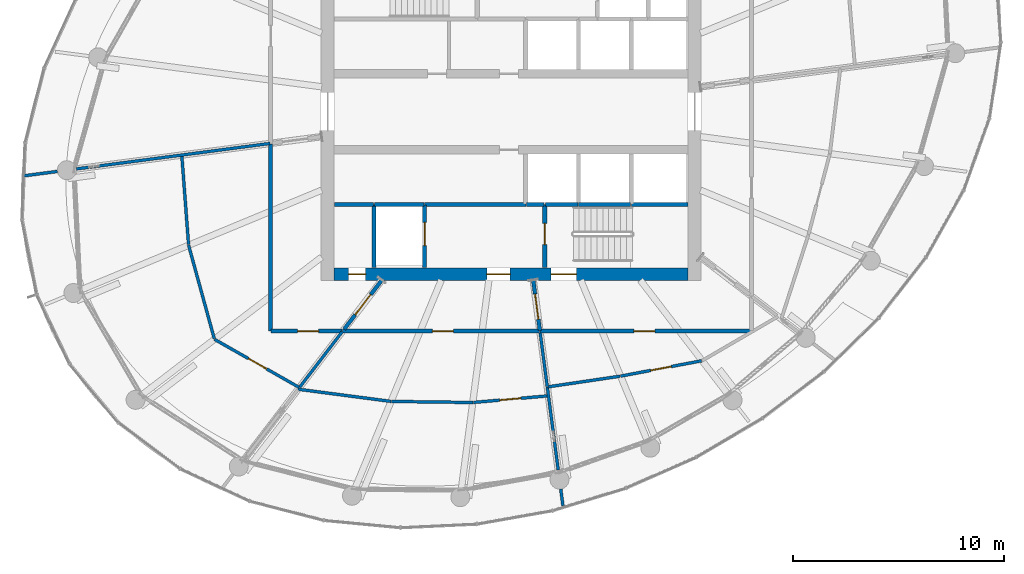
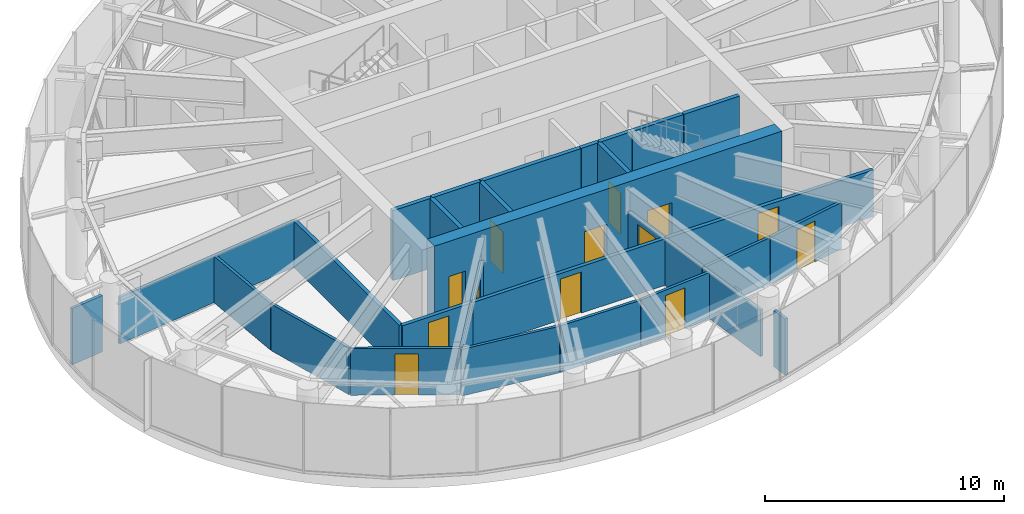
# One storey, part 16 of 26: 31 walls, 13 doors, 13 openings.
"""IFC4 building model written with IfcOpenShell, lengths in metres."""

from ifc_helpers import new_model, si_unit, direction, frame, frame_2d, origin, place, context, subcontext, project, spatial, rectangle, extrude, source, transform, mapped, material, layer, layer_set, type_object, element, fill, save


model = new_model("IFC4")

# Units and contexts
model_context = context("Model", 3, precision=1e-05, world=origin(), true_north=direction((0.0, 1.0)))
body_context = subcontext(model_context, "Body", "Model", "MODEL_VIEW")
ifc_project = project(units=[si_unit("LENGTHUNIT", "METRE"), si_unit("AREAUNIT", "SQUARE_METRE"), si_unit("VOLUMEUNIT", "CUBIC_METRE"), si_unit("PLANEANGLEUNIT", "RADIAN"), si_unit("MASSUNIT", "GRAM", prefix="KILO")], contexts=[model_context])

# Site, building, storey
site_placement = place(None, origin())
site = spatial("IfcSite", under=ifc_project, at=site_placement, CompositionType="ELEMENT")
building_placement = place(site_placement, origin())
building = spatial("IfcBuilding", under=site, at=building_placement, Name="Spindrift Exchange Tower", CompositionType="ELEMENT")
storey_placement = place(building_placement, frame((0.0, 0.0, 230.60009765625)))
storey = spatial("IfcBuildingStorey", under=building, at=storey_placement, Name="L56", CompositionType="ELEMENT", Elevation=230.60009765625)

# Wall, openings, doors
ifc_material_1 = material(Name="Concrete 50 MPa", Category="concrete")
ifc_layer_1 = layer(ifc_material_1, 0.60009765625)
ifc_layer_set_1 = layer_set([ifc_layer_1], Name="RC Core Wall 600 Concrete 50 MPa")
wall_type_1 = type_object("IfcWallType", Name="RC Core Wall 600 Concrete 50 MPa", PredefinedType="SHEAR", material=ifc_layer_set_1)
wall_1_placement = place(storey_placement, frame((43.60009765625, 40.300048828125, 0.0), z_axis=(0.0, 0.0, 1.0), x_axis=(1.0, 0.0, 0.0)))
wall_1 = element("IfcWall", 1, at=wall_1_placement, inside=storey, type_object=wall_type_1, Name="Core wall S L56", PredefinedType="SHEAR", context=body_context, shape_type="SweptSolid", body=[
    extrude(rectangle(XDim=16.7998046875, YDim=0.60009765625, at=frame_2d((8.39990234375, 0.0))), origin(), (0.0, 0.0, 1.0), 3.89990234375),
])
opening_1_placement = place(wall_1_placement, frame((10.300048828125, 0.0, 0.0)))
opening_1 = element("IfcOpeningElement", 2, at=opening_1_placement, cuts=wall_1, Name="Opening L56-D9", PredefinedType="OPENING", context=body_context, shape_type="SweptSolid", body=[
    extrude(rectangle(XDim=1.199951171875, YDim=2.10009765625, at=frame_2d((0.60009765625, 1.050048828125))), frame((0.0, 0.31005859375, 0.0), z_axis=(0.0, -1.0, 0.0), x_axis=(1.0, 0.0, 0.0)), (0.0, 0.0, 1.0), 0.6201171875),
])
opening_2_placement = place(wall_1_placement, frame((7.25, 0.0, 0.0)))
opening_2 = element("IfcOpeningElement", 3, at=opening_2_placement, cuts=wall_1, Name="Opening L56-D11", PredefinedType="OPENING", context=body_context, shape_type="SweptSolid", body=[
    extrude(rectangle(XDim=1.10009765625, YDim=2.10009765625, at=frame_2d((0.550048828125, 1.050048828125))), frame((0.0, 0.31005859375, 0.0), z_axis=(0.0, -1.0, 0.0), x_axis=(1.0, 0.0, 0.0)), (0.0, 0.0, 1.0), 0.6201171875),
])
opening_3_placement = place(wall_1_placement, frame((0.699951171875, 0.0, 0.0)))
opening_3 = element("IfcOpeningElement", 4, at=opening_3_placement, cuts=wall_1, Name="Opening L56-D12", PredefinedType="OPENING", context=body_context, shape_type="SweptSolid", body=[
    extrude(rectangle(XDim=0.800048828125, YDim=2.10009765625, at=frame_2d((0.39990234375, 1.050048828125))), frame((0.0, 0.31005859375, 0.0), z_axis=(0.0, -1.0, 0.0), x_axis=(1.0, 0.0, 0.0)), (0.0, 0.0, 1.0), 0.6201171875),
])
ifc_material_2 = material(Name="Steel fire door", Category="steel")
door_type_1 = type_object("IfcDoorType", Name="DR-STAIR-1200", OperationType="NOTDEFINED", PredefinedType="DOOR", material=ifc_material_2)
shared_shape_1 = source(origin(), body_context, "Body", "SweptSolid", [
    extrude(rectangle(XDim=1.199951171875, YDim=2.10009765625, at=frame_2d((0.60009765625, 1.050048828125))), frame((0.0, 0.02490234375, 0.0), z_axis=(0.0, -1.0, 0.0), x_axis=(1.0, 0.0, 0.0)), (0.0, 0.0, 1.0), 0.050048828125),
])
door_1_placement = place(opening_1_placement, origin())
door_1 = element("IfcDoor", 5, at=door_1_placement, inside=storey, type_object=door_type_1, Name="L56 Stair door 9", OperationType="SINGLE_SWING_LEFT", OverallHeight=2.10009765625, OverallWidth=1.199951171875, PredefinedType="DOOR", context=body_context, shape_type="MappedRepresentation", body=[
    mapped(shared_shape_1, transform((0.0, 0.0, 0.0), scale=1.0)),
])
fill(opening_1, door_1)
ifc_material_3 = material(Name="Timber-core fire door", Category="wood")
door_type_2 = type_object("IfcDoorType", Name="DR-LOBBY-1100", OperationType="NOTDEFINED", PredefinedType="DOOR", material=ifc_material_3)
shared_shape_2 = source(origin(), body_context, "Body", "SweptSolid", [
    extrude(rectangle(XDim=1.10009765625, YDim=2.10009765625, at=frame_2d((0.550048828125, 1.050048828125))), frame((0.0, 0.02490234375, 0.0), z_axis=(0.0, -1.0, 0.0), x_axis=(1.0, 0.0, 0.0)), (0.0, 0.0, 1.0), 0.050048828125),
])
door_2_placement = place(opening_2_placement, origin())
door_2 = element("IfcDoor", 6, at=door_2_placement, inside=storey, type_object=door_type_2, Name="L56 Lobby door 11", OperationType="SINGLE_SWING_LEFT", OverallHeight=2.10009765625, OverallWidth=1.10009765625, PredefinedType="DOOR", context=body_context, shape_type="MappedRepresentation", body=[
    mapped(shared_shape_2, transform((0.0, 0.0, 0.0), scale=1.0)),
])
fill(opening_2, door_2)
ifc_material_4 = material(Name="Steel access door", Category="steel")
door_type_3 = type_object("IfcDoorType", Name="DR-RISER-800", OperationType="NOTDEFINED", PredefinedType="DOOR", material=ifc_material_4)
shared_shape_3 = source(origin(), body_context, "Body", "SweptSolid", [
    extrude(rectangle(XDim=0.800048828125, YDim=2.10009765625, at=frame_2d((0.39990234375, 1.050048828125))), frame((0.0, 0.02490234375, 0.0), z_axis=(0.0, -1.0, 0.0), x_axis=(1.0, 0.0, 0.0)), (0.0, 0.0, 1.0), 0.050048828125),
])
door_3_placement = place(opening_3_placement, origin())
door_3 = element("IfcDoor", 7, at=door_3_placement, inside=storey, type_object=door_type_3, Name="L56 Riser door 12", OperationType="SINGLE_SWING_RIGHT", OverallHeight=2.10009765625, OverallWidth=0.800048828125, PredefinedType="DOOR", context=body_context, shape_type="MappedRepresentation", body=[
    mapped(shared_shape_3, transform((0.0, 0.0, 0.0), scale=1.0)),
])
fill(opening_3, door_3)

# Wall, opening, door
ifc_material_5 = material(Name="Fire-rated plasterboard partition", Category="gypsum")
ifc_layer_2 = layer(ifc_material_5, 0.179931640625)
ifc_layer_set_2 = layer_set([ifc_layer_2], Name="W-CORR-180-SOFFIT")
wall_type_2 = type_object("IfcWallType", Name="W-CORR-180-SOFFIT", PredefinedType="PARTITIONING", material=ifc_layer_set_2)
wall_2_placement = place(storey_placement, frame((44.0888671875, 37.68994140625, 0.0), z_axis=(0.0, 0.0, 1.0), x_axis=(0.608737787706, 0.793371480341, 0.0)))
wall_2 = element("IfcWall", 8, at=wall_2_placement, inside=storey, type_object=wall_type_2, Name="L56 Partition wall 38", PredefinedType="PARTITIONING", context=body_context, shape_type="SweptSolid", body=[
    extrude(rectangle(XDim=2.91162109375, YDim=0.179931640625, at=frame_2d((1.455810546875, 0.0))), origin(), (0.0, 0.0, 1.0), 2.3798828125),
])
opening_4_placement = place(wall_2_placement, frame((0.86181640625, 0.0, 0.0)))
opening_4 = element("IfcOpeningElement", 9, at=opening_4_placement, cuts=wall_2, Name="Opening L56-D31", PredefinedType="OPENING", context=body_context, shape_type="SweptSolid", body=[
    extrude(rectangle(XDim=1.199951171875, YDim=2.10009765625, at=frame_2d((0.60009765625, 1.050048828125))), frame((0.0, 0.099853515625, 0.0), z_axis=(0.0, -1.0, 0.0), x_axis=(1.0, 0.0, 0.0)), (0.0, 0.0, 1.0), 0.199951171875),
])
door_type_4 = type_object("IfcDoorType", Name="DR-PLANT-1200", OperationType="NOTDEFINED", PredefinedType="DOOR", material=ifc_material_2)
shared_shape_4 = source(origin(), body_context, "Body", "SweptSolid", [
    extrude(rectangle(XDim=1.199951171875, YDim=2.10009765625, at=frame_2d((0.60009765625, 1.050048828125))), frame((0.0, 0.02490234375, 0.0), z_axis=(0.0, -1.0, 0.0), x_axis=(1.0, 0.0, 0.0)), (0.0, 0.0, 1.0), 0.050048828125),
])
door_4_placement = place(opening_4_placement, origin())
door_4 = element("IfcDoor", 10, at=door_4_placement, inside=storey, type_object=door_type_4, Name="L56 Plant room door 31", OperationType="SINGLE_SWING_LEFT", OverallHeight=2.10009765625, OverallWidth=1.199951171875, PredefinedType="DOOR", context=body_context, shape_type="MappedRepresentation", body=[
    mapped(shared_shape_4, transform((0.0, 0.0, 0.0), scale=1.0)),
])
fill(opening_4, door_4)

wall_3_placement = place(storey_placement, frame((53.365234375, 37.629638671875, 0.0), z_axis=(0.0, 0.0, 1.0), x_axis=(-0.130504701654, 0.991447690424, 0.0)))
wall_3 = element("IfcWall", 11, at=wall_3_placement, inside=storey, type_object=wall_type_2, Name="L56 Partition wall 42", PredefinedType="PARTITIONING", context=body_context, shape_type="SweptSolid", body=[
    extrude(rectangle(XDim=2.390869140625, YDim=0.179931640625, at=frame_2d((1.1953125, 0.0))), origin(), (0.0, 0.0, 1.0), 2.3798828125),
])
opening_5_placement = place(wall_3_placement, frame((0.540771484375, 0.0, 0.0)))
opening_5 = element("IfcOpeningElement", 12, at=opening_5_placement, cuts=wall_3, Name="Opening L56-D32", PredefinedType="OPENING", context=body_context, shape_type="SweptSolid", body=[
    extrude(rectangle(XDim=1.199951171875, YDim=2.10009765625, at=frame_2d((0.60009765625, 1.050048828125))), frame((0.0, 0.099853515625, 0.0), z_axis=(0.0, -1.0, 0.0), x_axis=(1.0, 0.0, 0.0)), (0.0, 0.0, 1.0), 0.199951171875),
])
door_5_placement = place(opening_5_placement, origin())
door_5 = element("IfcDoor", 13, at=door_5_placement, inside=storey, type_object=door_type_4, Name="L56 Plant room door 32", OperationType="SINGLE_SWING_RIGHT", OverallHeight=2.10009765625, OverallWidth=1.199951171875, PredefinedType="DOOR", context=body_context, shape_type="MappedRepresentation", body=[
    mapped(shared_shape_4, transform((0.0, 0.0, 0.0), scale=1.0)),
])
fill(opening_5, door_5)

# Walls
ifc_layer_3 = layer(ifc_material_5, 0.139892578125)
ifc_layer_set_3 = layer_set([ifc_layer_3], Name="W-PLANT-140")
wall_type_3 = type_object("IfcWallType", Name="W-PLANT-140", PredefinedType="PARTITIONING", material=ifc_layer_set_3)
wall_4_placement = place(storey_placement, frame((30.487060546875, 45.167724609375, 0.0), z_axis=(0.0, 0.0, 1.0), x_axis=(-0.991448052913, -0.130501947779, 0.0)))
element("IfcWall", 14, at=wall_4_placement, inside=storey, type_object=wall_type_3, Name="L56 Partition wall 79", PredefinedType="PARTITIONING", context=body_context, shape_type="SweptSolid", body=[
    extrude(rectangle(XDim=1.59765625, YDim=0.139892578125, at=frame_2d((0.798828125, 0.0))), origin(), (0.0, 0.0, 1.0), 2.8798828125),
])
wall_5_placement = place(storey_placement, frame((54.355712890625, 30.10693359375, 0.0), z_axis=(0.0, 0.0, 1.0), x_axis=(0.130414823496, -0.991459516981, 0.0)))
element("IfcWall", 15, at=wall_5_placement, inside=storey, type_object=wall_type_3, Name="L56 Partition wall 87", PredefinedType="PARTITIONING", context=body_context, shape_type="SweptSolid", body=[
    extrude(rectangle(XDim=0.795654296875, YDim=0.139892578125, at=frame_2d((0.39794921875, 0.0))), origin(), (0.0, 0.0, 1.0), 2.8798828125),
])
ifc_layer_4 = layer(ifc_material_5, 0.139892578125)
ifc_layer_set_4 = layer_set([ifc_layer_4], Name="W-PLANT-140-SOFFIT")
wall_type_4 = type_object("IfcWallType", Name="W-PLANT-140-SOFFIT", PredefinedType="PARTITIONING", material=ifc_layer_set_4)
wall_6_placement = place(storey_placement, frame((40.5703125, 46.4951171875, 0.0), z_axis=(0.0, 0.0, 1.0), x_axis=(-0.991446397915, -0.130514520502, 0.0)))
element("IfcWall", 16, at=wall_6_placement, inside=storey, type_object=wall_type_4, Name="L56 Partition wall 47", PredefinedType="PARTITIONING", context=body_context, shape_type="SweptSolid", body=[
    extrude(rectangle(XDim=9.26123046875, YDim=0.139892578125, at=frame_2d((4.630615234375, 0.0))), origin(), (0.0, 0.0, 1.0), 2.3798828125),
])

# Wall, opening, door
wall_7_placement = place(storey_placement, frame((41.96533203125, 34.922607421875, 0.0), z_axis=(0.0, 0.0, 1.0), x_axis=(-0.869576423492, 0.493798383662, 0.0)))
wall_7 = element("IfcWall", 17, at=wall_7_placement, inside=storey, type_object=wall_type_4, Name="L56 Partition wall 52", PredefinedType="PARTITIONING", context=body_context, shape_type="SweptSolid", body=[
    extrude(rectangle(XDim=4.631591796875, YDim=0.139892578125, at=frame_2d((2.31591796875, 0.0))), origin(), (0.0, 0.0, 1.0), 2.3798828125),
])
opening_6_placement = place(wall_7_placement, frame((1.781494140625, 0.0, 0.0)))
opening_6 = element("IfcOpeningElement", 18, at=opening_6_placement, cuts=wall_7, Name="Opening L56-D20", PredefinedType="OPENING", context=body_context, shape_type="SweptSolid", body=[
    extrude(rectangle(XDim=1.0, YDim=2.10009765625, at=frame_2d((0.5, 1.050048828125))), frame((0.0, 0.079833984375, 0.0), z_axis=(0.0, -1.0, 0.0), x_axis=(1.0, 0.0, 0.0)), (0.0, 0.0, 1.0), 0.159912109375),
])
door_type_5 = type_object("IfcDoorType", Name="DR-ROOM-1000", OperationType="NOTDEFINED", PredefinedType="DOOR", material=ifc_material_3)
shared_shape_5 = source(origin(), body_context, "Body", "SweptSolid", [
    extrude(rectangle(XDim=1.0, YDim=2.10009765625, at=frame_2d((0.5, 1.050048828125))), frame((0.0, 0.02490234375, 0.0), z_axis=(0.0, -1.0, 0.0), x_axis=(1.0, 0.0, 0.0)), (0.0, 0.0, 1.0), 0.050048828125),
])
door_6_placement = place(opening_6_placement, origin())
door_6 = element("IfcDoor", 19, at=door_6_placement, inside=storey, type_object=door_type_5, Name="L56 Door 20", OperationType="SINGLE_SWING_RIGHT", OverallHeight=2.10009765625, OverallWidth=1.0, PredefinedType="DOOR", context=body_context, shape_type="MappedRepresentation", body=[
    mapped(shared_shape_5, transform((0.0, 0.0, 0.0), scale=1.0)),
])
fill(opening_6, door_6)

# Walls
wall_8_placement = place(storey_placement, frame((36.71240234375, 41.667724609375, 0.0), z_axis=(0.0, 0.0, 1.0), x_axis=(0.265005769804, -0.964246826269, 0.0)))
element("IfcWall", 20, at=wall_8_placement, inside=storey, type_object=wall_type_4, Name="L56 Partition wall 53", PredefinedType="PARTITIONING", context=body_context, shape_type="SweptSolid", body=[
    extrude(rectangle(XDim=4.593505859375, YDim=0.139892578125, at=frame_2d((2.296875, 0.0))), origin(), (0.0, 0.0, 1.0), 2.3798828125),
])
wall_9_placement = place(storey_placement, frame((41.90380859375, 34.84228515625, 0.0), z_axis=(0.0, 0.0, 1.0), x_axis=(0.991511039877, -0.130022528055, 0.0)))
element("IfcWall", 21, at=wall_9_placement, inside=storey, type_object=wall_type_4, Name="L56 Partition wall 55", PredefinedType="PARTITIONING", context=body_context, shape_type="SweptSolid", body=[
    extrude(rectangle(XDim=4.444580078125, YDim=0.139892578125, at=frame_2d((2.22216796875, 0.0))), origin(), (0.0, 0.0, 1.0), 2.3798828125),
])
wall_10_placement = place(storey_placement, frame((36.394287109375, 45.875, 0.0), z_axis=(0.0, 0.0, 1.0), x_axis=(0.075408545523, -0.997152722135, 0.0)))
element("IfcWall", 22, at=wall_10_placement, inside=storey, type_object=wall_type_4, Name="L56 Partition wall 56", PredefinedType="PARTITIONING", context=body_context, shape_type="SweptSolid", body=[
    extrude(rectangle(XDim=4.189453125, YDim=0.139892578125, at=frame_2d((2.0947265625, 0.0))), origin(), (0.0, 0.0, 1.0), 2.3798828125),
])
wall_11_placement = place(storey_placement, frame((53.718017578125, 34.94970703125, 0.0), z_axis=(0.0, 0.0, 1.0), x_axis=(0.130554588204, -0.991441122558, 0.0)))
element("IfcWall", 23, at=wall_11_placement, inside=storey, type_object=wall_type_4, Name="L56 Partition wall 63", PredefinedType="PARTITIONING", context=body_context, shape_type="SweptSolid", body=[
    extrude(rectangle(XDim=3.9755859375, YDim=0.139892578125, at=frame_2d((1.98779296875, 0.0))), origin(), (0.0, 0.0, 1.0), 2.3798828125),
])

# Wall, opening, door
wall_12_placement = place(storey_placement, frame((61.02880859375, 36.189453125, 0.0), z_axis=(0.0, 0.0, 1.0), x_axis=(-0.982553571564, -0.185979781176, 0.0)))
wall_12 = element("IfcWall", 24, at=wall_12_placement, inside=storey, type_object=wall_type_4, Name="L56 Partition wall 66", PredefinedType="PARTITIONING", context=body_context, shape_type="SweptSolid", body=[
    extrude(rectangle(XDim=3.904052734375, YDim=0.139892578125, at=frame_2d((1.9521484375, 0.0))), origin(), (0.0, 0.0, 1.0), 2.3798828125),
])
opening_7_placement = place(wall_12_placement, frame((1.4541015625, 0.0, 0.0)))
opening_7 = element("IfcOpeningElement", 25, at=opening_7_placement, cuts=wall_12, Name="Opening L56-D24", PredefinedType="OPENING", context=body_context, shape_type="SweptSolid", body=[
    extrude(rectangle(XDim=1.0, YDim=2.10009765625, at=frame_2d((0.5, 1.050048828125))), frame((0.0, 0.079833984375, 0.0), z_axis=(0.0, -1.0, 0.0), x_axis=(1.0, 0.0, 0.0)), (0.0, 0.0, 1.0), 0.159912109375),
])
door_7_placement = place(opening_7_placement, origin())
door_7 = element("IfcDoor", 26, at=door_7_placement, inside=storey, type_object=door_type_5, Name="L56 Door 24", OperationType="SINGLE_SWING_RIGHT", OverallHeight=2.10009765625, OverallWidth=1.0, PredefinedType="DOOR", context=body_context, shape_type="MappedRepresentation", body=[
    mapped(shared_shape_5, transform((0.0, 0.0, 0.0), scale=1.0)),
])
fill(opening_7, door_7)

# Wall
wall_13_placement = place(storey_placement, frame((46.34033203125, 34.263916015625, 0.0), z_axis=(0.0, 0.0, 1.0), x_axis=(0.999911089098, -0.013334687795, 0.0)))
element("IfcWall", 27, at=wall_13_placement, inside=storey, type_object=wall_type_4, Name="L56 Partition wall 68", PredefinedType="PARTITIONING", context=body_context, shape_type="SweptSolid", body=[
    extrude(rectangle(XDim=3.8447265625, YDim=0.139892578125, at=frame_2d((1.92236328125, 0.0))), origin(), (0.0, 0.0, 1.0), 2.3798828125),
])

# Wall, opening, door
wall_14_placement = place(storey_placement, frame((53.70361328125, 34.523193359375, 0.0), z_axis=(0.0, 0.0, 1.0), x_axis=(-0.996129131969, -0.087901947894, 0.0)))
wall_14 = element("IfcWall", 28, at=wall_14_placement, inside=storey, type_object=wall_type_4, Name="L56 Partition wall 70", PredefinedType="PARTITIONING", context=body_context, shape_type="SweptSolid", body=[
    extrude(rectangle(XDim=3.50244140625, YDim=0.139892578125, at=frame_2d((1.751220703125, 0.0))), origin(), (0.0, 0.0, 1.0), 2.3798828125),
])
opening_8_placement = place(wall_14_placement, frame((1.25244140625, 0.0, 0.0)))
opening_8 = element("IfcOpeningElement", 29, at=opening_8_placement, cuts=wall_14, Name="Opening L56-D22", PredefinedType="OPENING", context=body_context, shape_type="SweptSolid", body=[
    extrude(rectangle(XDim=1.0, YDim=2.10009765625, at=frame_2d((0.5, 1.050048828125))), frame((0.0, 0.079833984375, 0.0), z_axis=(0.0, -1.0, 0.0), x_axis=(1.0, 0.0, 0.0)), (0.0, 0.0, 1.0), 0.159912109375),
])
door_8_placement = place(opening_8_placement, origin())
door_8 = element("IfcDoor", 30, at=door_8_placement, inside=storey, type_object=door_type_5, Name="L56 Door 22", OperationType="SINGLE_SWING_RIGHT", OverallHeight=2.10009765625, OverallWidth=1.0, PredefinedType="DOOR", context=body_context, shape_type="MappedRepresentation", body=[
    mapped(shared_shape_5, transform((0.0, 0.0, 0.0), scale=1.0)),
])
fill(opening_8, door_8)

# Walls
wall_15_placement = place(storey_placement, frame((53.747802734375, 34.9541015625, 0.0), z_axis=(0.0, 0.0, 1.0), x_axis=(0.989248976664, 0.146241109711, 0.0)))
element("IfcWall", 31, at=wall_15_placement, inside=storey, type_object=wall_type_4, Name="L56 Partition wall 71", PredefinedType="PARTITIONING", context=body_context, shape_type="SweptSolid", body=[
    extrude(rectangle(XDim=3.452392578125, YDim=0.139892578125, at=frame_2d((1.72607421875, 0.0))), origin(), (0.0, 0.0, 1.0), 2.3798828125),
])
wall_16_placement = place(storey_placement, frame((41.9833984375, 34.9462890625, 0.0), z_axis=(0.0, 0.0, 1.0), x_axis=(0.608783144395, 0.793336677017, 0.0)))
element("IfcWall", 32, at=wall_16_placement, inside=storey, type_object=wall_type_4, Name="L56 Partition wall 73", PredefinedType="PARTITIONING", context=body_context, shape_type="SweptSolid", body=[
    extrude(rectangle(XDim=3.30859375, YDim=0.139892578125, at=frame_2d((1.654296875, 0.0))), origin(), (0.0, 0.0, 1.0), 2.3798828125),
])
wall_17_placement = place(storey_placement, frame((53.381103515625, 37.510009765625, 0.0), z_axis=(0.0, 0.0, 1.0), x_axis=(0.130471833124, -0.991452016369, 0.0)))
element("IfcWall", 33, at=wall_17_placement, inside=storey, type_object=wall_type_4, Name="L56 Partition wall 74", PredefinedType="PARTITIONING", context=body_context, shape_type="SweptSolid", body=[
    extrude(rectangle(XDim=2.55224609375, YDim=0.139892578125, at=frame_2d((1.276123046875, 0.0))), origin(), (0.0, 0.0, 1.0), 2.3798828125),
])

# Wall, opening, door
ifc_layer_5 = layer(ifc_material_5, 0.179931640625)
ifc_layer_set_5 = layer_set([ifc_layer_5], Name="W-PLANT-180-SOFFIT")
wall_type_5 = type_object("IfcWallType", Name="W-PLANT-180-SOFFIT", PredefinedType="PARTITIONING", material=ifc_layer_set_5)
wall_18_placement = place(storey_placement, frame((63.39990234375, 37.60009765625, 0.0), z_axis=(0.0, 0.0, 1.0), x_axis=(-1.0, 0.0, 0.0)))
wall_18 = element("IfcWall", 34, at=wall_18_placement, inside=storey, type_object=wall_type_5, Name="L56 Partition wall 30", PredefinedType="PARTITIONING", context=body_context, shape_type="SweptSolid", body=[
    extrude(rectangle(XDim=10.03076171875, YDim=0.179931640625, at=frame_2d((5.015380859375, 0.0))), origin(), (0.0, 0.0, 1.0), 2.3798828125),
])
opening_9_placement = place(wall_18_placement, frame((4.580810546875, 0.0, 0.0)))
opening_9 = element("IfcOpeningElement", 35, at=opening_9_placement, cuts=wall_18, Name="Opening L56-D23", PredefinedType="OPENING", context=body_context, shape_type="SweptSolid", body=[
    extrude(rectangle(XDim=1.0, YDim=2.10009765625, at=frame_2d((0.5, 1.050048828125))), frame((0.0, 0.099853515625, 0.0), z_axis=(0.0, -1.0, 0.0), x_axis=(1.0, 0.0, 0.0)), (0.0, 0.0, 1.0), 0.199951171875),
])
door_9_placement = place(opening_9_placement, origin())
door_9 = element("IfcDoor", 36, at=door_9_placement, inside=storey, type_object=door_type_5, Name="L56 Door 23", OperationType="SINGLE_SWING_LEFT", OverallHeight=2.10009765625, OverallWidth=1.0, PredefinedType="DOOR", context=body_context, shape_type="MappedRepresentation", body=[
    mapped(shared_shape_5, transform((0.0, 0.0, 0.0), scale=1.0)),
])
fill(opening_9, door_9)

wall_19_placement = place(storey_placement, frame((53.339111328125, 37.60009765625, 0.0), z_axis=(0.0, 0.0, 1.0), x_axis=(-1.0, 0.0, 0.0)))
wall_19 = element("IfcWall", 37, at=wall_19_placement, inside=storey, type_object=wall_type_5, Name="L56 Partition wall 31", PredefinedType="PARTITIONING", context=body_context, shape_type="SweptSolid", body=[
    extrude(rectangle(XDim=9.3193359375, YDim=0.179931640625, at=frame_2d((4.65966796875, 0.0))), origin(), (0.0, 0.0, 1.0), 2.3798828125),
])
opening_10_placement = place(wall_19_placement, frame((4.0693359375, 0.0, 0.0)))
opening_10 = element("IfcOpeningElement", 38, at=opening_10_placement, cuts=wall_19, Name="Opening L56-D21", PredefinedType="OPENING", context=body_context, shape_type="SweptSolid", body=[
    extrude(rectangle(XDim=1.0, YDim=2.10009765625, at=frame_2d((0.5, 1.050048828125))), frame((0.0, 0.099853515625, 0.0), z_axis=(0.0, -1.0, 0.0), x_axis=(1.0, 0.0, 0.0)), (0.0, 0.0, 1.0), 0.199951171875),
])
door_10_placement = place(opening_10_placement, origin())
door_10 = element("IfcDoor", 39, at=door_10_placement, inside=storey, type_object=door_type_5, Name="L56 Door 21", OperationType="SINGLE_SWING_LEFT", OverallHeight=2.10009765625, OverallWidth=1.0, PredefinedType="DOOR", context=body_context, shape_type="MappedRepresentation", body=[
    mapped(shared_shape_5, transform((0.0, 0.0, 0.0), scale=1.0)),
])
fill(opening_10, door_10)

# Wall
wall_20_placement = place(storey_placement, frame((40.60009765625, 46.46923828125, 0.0), z_axis=(0.0, 0.0, 1.0), x_axis=(0.0, -1.0, 0.0)))
element("IfcWall", 40, at=wall_20_placement, inside=storey, type_object=wall_type_5, Name="L56 Partition wall 33", PredefinedType="PARTITIONING", context=body_context, shape_type="SweptSolid", body=[
    extrude(rectangle(XDim=8.869140625, YDim=0.179931640625, at=frame_2d((4.4345703125, 0.0))), origin(), (0.0, 0.0, 1.0), 2.3798828125),
])

# Wall, opening, door
wall_21_placement = place(storey_placement, frame((43.98974609375, 37.60009765625, 0.0), z_axis=(0.0, 0.0, 1.0), x_axis=(-1.0, 0.0, 0.0)))
wall_21 = element("IfcWall", 41, at=wall_21_placement, inside=storey, type_object=wall_type_5, Name="L56 Partition wall 36", PredefinedType="PARTITIONING", context=body_context, shape_type="SweptSolid", body=[
    extrude(rectangle(XDim=3.35986328125, YDim=0.179931640625, at=frame_2d((1.679931640625, 0.0))), origin(), (0.0, 0.0, 1.0), 2.3798828125),
])
opening_11_placement = place(wall_21_placement, frame((1.10986328125, 0.0, 0.0)))
opening_11 = element("IfcOpeningElement", 42, at=opening_11_placement, cuts=wall_21, Name="Opening L56-D19", PredefinedType="OPENING", context=body_context, shape_type="SweptSolid", body=[
    extrude(rectangle(XDim=1.0, YDim=2.10009765625, at=frame_2d((0.5, 1.050048828125))), frame((0.0, 0.099853515625, 0.0), z_axis=(0.0, -1.0, 0.0), x_axis=(1.0, 0.0, 0.0)), (0.0, 0.0, 1.0), 0.199951171875),
])
door_11_placement = place(opening_11_placement, origin())
door_11 = element("IfcDoor", 43, at=door_11_placement, inside=storey, type_object=door_type_5, Name="L56 Door 19", OperationType="SINGLE_SWING_LEFT", OverallHeight=2.10009765625, OverallWidth=1.0, PredefinedType="DOOR", context=body_context, shape_type="MappedRepresentation", body=[
    mapped(shared_shape_5, transform((0.0, 0.0, 0.0), scale=1.0)),
])
fill(opening_11, door_11)

# Walls
ifc_material_6 = material(Name="Concrete 40 MPa", Category="concrete")
ifc_layer_6 = layer(ifc_material_6, 0.199951171875)
ifc_layer_set_6 = layer_set([ifc_layer_6], Name="W-SHAFT-200")
wall_type_6 = type_object("IfcWallType", Name="W-SHAFT-200", PredefinedType="SOLIDWALL", material=ifc_layer_set_6)
wall_22_placement = place(storey_placement, frame((52.699951171875, 43.60009765625, 0.0), z_axis=(0.0, 0.0, 1.0), x_axis=(-1.0, 0.0, 0.0)))
element("IfcWall", 44, at=wall_22_placement, inside=storey, type_object=wall_type_6, Name="L56 Shaft wall 2", PredefinedType="SOLIDWALL", context=body_context, shape_type="SweptSolid", body=[
    extrude(rectangle(XDim=4.800048828125, YDim=0.199951171875, at=frame_2d((2.39990234375, 0.0))), origin(), (0.0, 0.0, 1.0), 3.579833984375),
])
wall_23_placement = place(storey_placement, frame((45.5, 43.60009765625, 0.0), z_axis=(0.0, 0.0, 1.0), x_axis=(0.0, -1.0, 0.0)))
element("IfcWall", 45, at=wall_23_placement, inside=storey, type_object=wall_type_6, Name="L56 Shaft wall 3", PredefinedType="SOLIDWALL", context=body_context, shape_type="SweptSolid", body=[
    extrude(rectangle(XDim=2.97998046875, YDim=0.199951171875, at=frame_2d((1.489990234375, 0.0))), origin(), (0.0, 0.0, 1.0), 3.579833984375),
])

# Wall, opening, door
wall_24_placement = place(storey_placement, frame((47.89990234375, 40.6201171875, 0.0), z_axis=(0.0, 0.0, 1.0), x_axis=(0.0, 1.0, 0.0)))
wall_24 = element("IfcWall", 46, at=wall_24_placement, inside=storey, type_object=wall_type_6, Name="L56 Shaft wall 4", PredefinedType="SOLIDWALL", context=body_context, shape_type="SweptSolid", body=[
    extrude(rectangle(XDim=2.949951171875, YDim=0.199951171875, at=frame_2d((1.47509765625, 0.0))), origin(), (0.0, 0.0, 1.0), 3.579833984375),
])
opening_12_placement = place(wall_24_placement, frame((1.030029296875, 0.0, 0.0)))
opening_12 = element("IfcOpeningElement", 47, at=opening_12_placement, cuts=wall_24, Name="Opening L56-D4", PredefinedType="OPENING", context=body_context, shape_type="SweptSolid", body=[
    extrude(rectangle(XDim=1.10009765625, YDim=2.10009765625, at=frame_2d((0.550048828125, 1.050048828125))), frame((0.0, 0.10986328125, 0.0), z_axis=(0.0, -1.0, 0.0), x_axis=(1.0, 0.0, 0.0)), (0.0, 0.0, 1.0), 0.219970703125),
])
ifc_material_7 = material(Name="Stainless steel landing door", Category="steel")
door_type_6 = type_object("IfcDoorType", Name="DR-LANDING-1100-SL", OperationType="DOUBLE_DOOR_SLIDING", PredefinedType="USERDEFINED", material=ifc_material_7)
shared_shape_6 = source(origin(), body_context, "Body", "SweptSolid", [
    extrude(rectangle(XDim=1.10009765625, YDim=2.10009765625, at=frame_2d((0.550048828125, 1.050048828125))), frame((0.0, 0.02490234375, 0.0), z_axis=(0.0, -1.0, 0.0), x_axis=(1.0, 0.0, 0.0)), (0.0, 0.0, 1.0), 0.050048828125),
])
door_12_placement = place(opening_12_placement, origin())
door_12 = element("IfcDoor", 48, at=door_12_placement, inside=storey, type_object=door_type_6, Name="L56 Lift landing door 4", ObjectType="LANDING DOOR", OperationType="DOUBLE_DOOR_SLIDING", OverallHeight=2.10009765625, OverallWidth=1.10009765625, PredefinedType="USERDEFINED", context=body_context, shape_type="MappedRepresentation", body=[
    mapped(shared_shape_6, transform((0.0, 0.0, 0.0), scale=1.0)),
])
fill(opening_12, door_12)

# Walls
wall_25_placement = place(storey_placement, frame((47.8701171875, 43.60009765625, 0.0), z_axis=(0.0, 0.0, 1.0), x_axis=(-1.0, 0.0, 0.0)))
element("IfcWall", 49, at=wall_25_placement, inside=storey, type_object=wall_type_6, Name="L56 Shaft wall 12", PredefinedType="SOLIDWALL", context=body_context, shape_type="SweptSolid", body=[
    extrude(rectangle(XDim=2.340087890625, YDim=0.199951171875, at=frame_2d((1.169921875, 0.0))), origin(), (0.0, 0.0, 1.0), 3.579833984375),
])
wall_26_placement = place(storey_placement, frame((45.469970703125, 43.60009765625, 0.0), z_axis=(0.0, 0.0, 1.0), x_axis=(-1.0, 0.0, 0.0)))
element("IfcWall", 50, at=wall_26_placement, inside=storey, type_object=wall_type_6, Name="L56 Shaft wall 20", PredefinedType="SOLIDWALL", context=body_context, shape_type="SweptSolid", body=[
    extrude(rectangle(XDim=1.849853515625, YDim=0.199951171875, at=frame_2d((0.9248046875, 0.0))), origin(), (0.0, 0.0, 1.0), 3.579833984375),
])

# Wall, opening, door
ifc_layer_7 = layer(ifc_material_6, 0.199951171875)
ifc_layer_set_7 = layer_set([ifc_layer_7], Name="W-SHAFT-200-LB")
wall_type_7 = type_object("IfcWallType", Name="W-SHAFT-200-LB", PredefinedType="SOLIDWALL", material=ifc_layer_set_7)
wall_27_placement = place(storey_placement, frame((53.60009765625, 43.60009765625, 0.0), z_axis=(0.0, 0.0, 1.0), x_axis=(0.0, -1.0, 0.0)))
wall_27 = element("IfcWall", 51, at=wall_27_placement, inside=storey, type_object=wall_type_7, Name="L56 Shaft wall 6", PredefinedType="SOLIDWALL", context=body_context, shape_type="SweptSolid", body=[
    extrude(rectangle(XDim=2.97998046875, YDim=0.199951171875, at=frame_2d((1.489990234375, 0.0))), origin(), (0.0, 0.0, 1.0), 3.579833984375),
])
opening_13_placement = place(wall_27_placement, frame((0.89990234375, 0.0, 0.0)))
opening_13 = element("IfcOpeningElement", 52, at=opening_13_placement, cuts=wall_27, Name="Opening L56-D10", PredefinedType="OPENING", context=body_context, shape_type="SweptSolid", body=[
    extrude(rectangle(XDim=1.0, YDim=2.10009765625, at=frame_2d((0.5, 1.050048828125))), frame((0.0, 0.10986328125, 0.0), z_axis=(0.0, -1.0, 0.0), x_axis=(1.0, 0.0, 0.0)), (0.0, 0.0, 1.0), 0.219970703125),
])
door_type_7 = type_object("IfcDoorType", Name="DR-STAIR-1000", OperationType="NOTDEFINED", PredefinedType="DOOR", material=ifc_material_2)
shared_shape_7 = source(origin(), body_context, "Body", "SweptSolid", [
    extrude(rectangle(XDim=1.0, YDim=2.10009765625, at=frame_2d((0.5, 1.050048828125))), frame((0.0, 0.02490234375, 0.0), z_axis=(0.0, -1.0, 0.0), x_axis=(1.0, 0.0, 0.0)), (0.0, 0.0, 1.0), 0.050048828125),
])
door_13_placement = place(opening_13_placement, origin())
door_13 = element("IfcDoor", 53, at=door_13_placement, inside=storey, type_object=door_type_7, Name="L56 Stair door 10", OperationType="SINGLE_SWING_RIGHT", OverallHeight=2.10009765625, OverallWidth=1.0, PredefinedType="DOOR", context=body_context, shape_type="MappedRepresentation", body=[
    mapped(shared_shape_7, transform((0.0, 0.0, 0.0), scale=1.0)),
])
fill(opening_13, door_13)

# Walls
wall_28_placement = place(storey_placement, frame((57.699951171875, 43.60009765625, 0.0), z_axis=(0.0, 0.0, 1.0), x_axis=(1.0, 0.0, 0.0)))
element("IfcWall", 54, at=wall_28_placement, inside=storey, type_object=wall_type_7, Name="L56 Shaft wall 9", PredefinedType="SOLIDWALL", context=body_context, shape_type="SweptSolid", body=[
    extrude(rectangle(XDim=2.679931640625, YDim=0.199951171875, at=frame_2d((1.33984375, 0.0))), origin(), (0.0, 0.0, 1.0), 3.579833984375),
])
wall_29_placement = place(storey_placement, frame((55.199951171875, 43.60009765625, 0.0), z_axis=(0.0, 0.0, 1.0), x_axis=(1.0, 0.0, 0.0)))
element("IfcWall", 55, at=wall_29_placement, inside=storey, type_object=wall_type_7, Name="L56 Shaft wall 11", PredefinedType="SOLIDWALL", context=body_context, shape_type="SweptSolid", body=[
    extrude(rectangle(XDim=2.469970703125, YDim=0.199951171875, at=frame_2d((1.23486328125, 0.0))), origin(), (0.0, 0.0, 1.0), 3.579833984375),
])
wall_30_placement = place(storey_placement, frame((53.6298828125, 43.60009765625, 0.0), z_axis=(0.0, 0.0, 1.0), x_axis=(1.0, 0.0, 0.0)))
element("IfcWall", 56, at=wall_30_placement, inside=storey, type_object=wall_type_7, Name="L56 Shaft wall 22", PredefinedType="SOLIDWALL", context=body_context, shape_type="SweptSolid", body=[
    extrude(rectangle(XDim=1.5400390625, YDim=0.199951171875, at=frame_2d((0.77001953125, 0.0))), origin(), (0.0, 0.0, 1.0), 3.579833984375),
])
wall_31_placement = place(storey_placement, frame((52.72998046875, 43.60009765625, 0.0), z_axis=(0.0, 0.0, 1.0), x_axis=(1.0, 0.0, 0.0)))
element("IfcWall", 57, at=wall_31_placement, inside=storey, type_object=wall_type_7, Name="L56 Shaft wall 24", PredefinedType="SOLIDWALL", context=body_context, shape_type="SweptSolid", body=[
    extrude(rectangle(XDim=0.840087890625, YDim=0.199951171875, at=frame_2d((0.419921875, 0.0))), origin(), (0.0, 0.0, 1.0), 3.579833984375),
])

save(model, "model.ifc")
